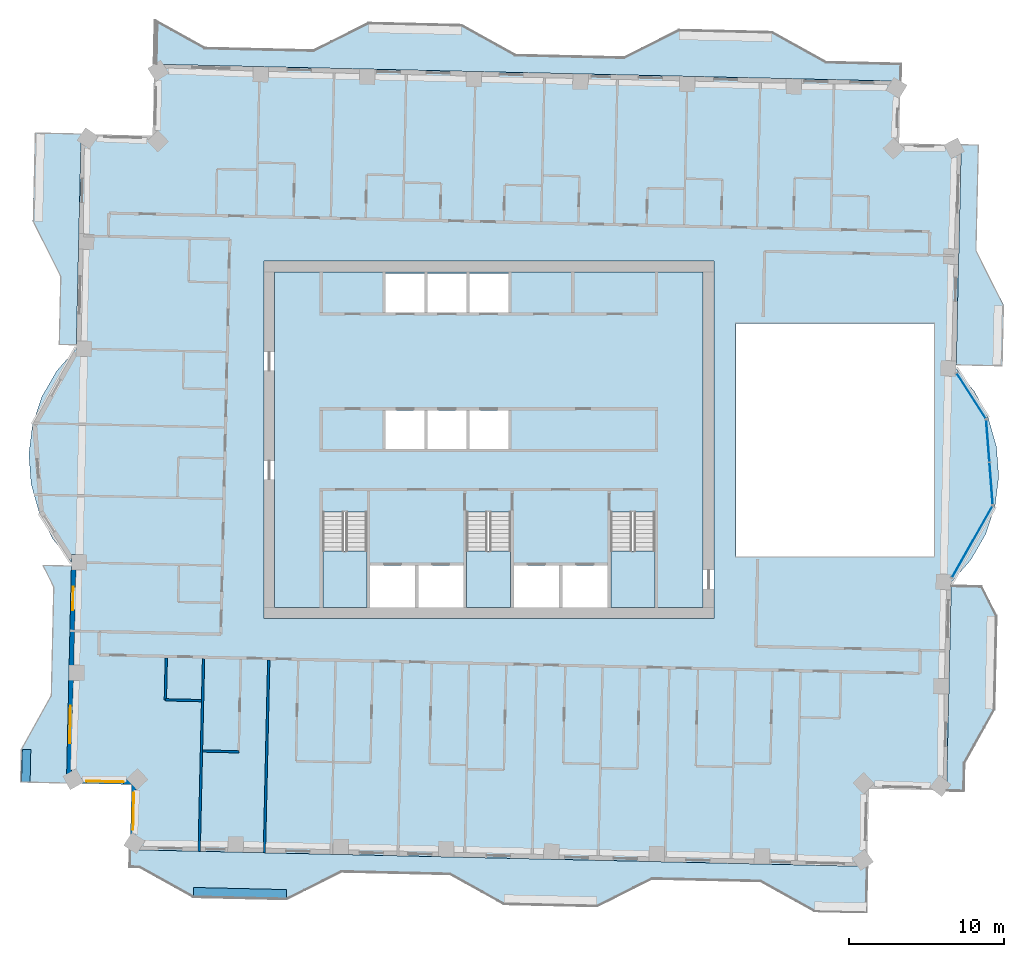
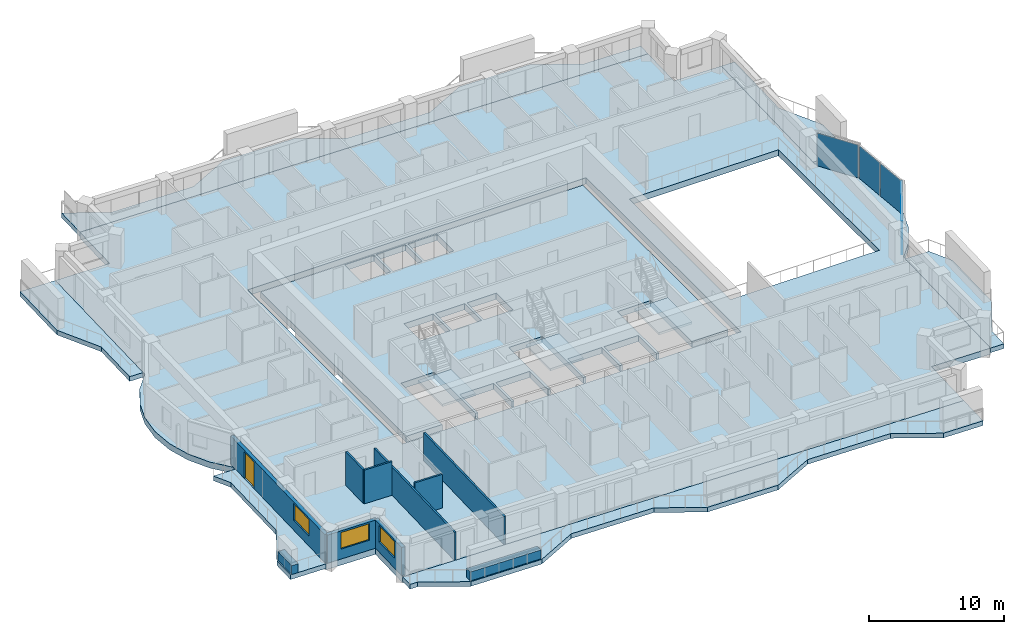
# One storey, part 5 of 17: 11 slabs, 10 walls, 4 plates, 3 windows, 1 door, 4 openings, 6 elements without a shape of their own.
"""IFC4 building model written with IfcOpenShell, lengths in metres."""

from ifc_helpers import new_model, si_unit, direction, frame, frame_2d, origin, origin_2d, place, context, subcontext, project, spatial, polyline, rectangle, outline, extrude, material, layer, layer_set, type_object, element, fill, aggregate, save


model = new_model("IFC4")

# Units and contexts
model_context = context("Model", 3, precision=1e-05, world=origin(), true_north=direction((0.0, 1.0)))
body_context = subcontext(model_context, "Body", "Model", "MODEL_VIEW")
ifc_project = project(units=[si_unit("LENGTHUNIT", "METRE"), si_unit("AREAUNIT", "SQUARE_METRE"), si_unit("VOLUMEUNIT", "CUBIC_METRE"), si_unit("PLANEANGLEUNIT", "RADIAN"), si_unit("MASSUNIT", "GRAM", prefix="KILO")], contexts=[model_context])

# Site, building, storey
site_placement = place(None, origin())
site = spatial("IfcSite", under=ifc_project, at=site_placement, CompositionType="ELEMENT")
building_placement = place(site_placement, origin())
building = spatial("IfcBuilding", under=site, at=building_placement, Name="Mangrove Gate Tower", CompositionType="ELEMENT")
storey_placement = place(building_placement, frame((0.0, 0.0, 257.300048828125)))
storey = spatial("IfcBuildingStorey", under=building, at=storey_placement, Name="L65", CompositionType="ELEMENT", Elevation=257.300048828125)

# Curtain wall, plate
ifc_material_1 = material(Name="Aluminium and glass curtain wall", Category="aluminium")
curtain_wall_type = type_object("IfcCurtainWallType", Name="Atrium garden-court glazing wall", PredefinedType="NOTDEFINED", material=ifc_material_1)
curtain_wall_1_placement = place(storey_placement, origin())
curtain_wall_1 = element("IfcCurtainWall", 1, at=curtain_wall_1_placement, inside=storey, type_object=curtain_wall_type, Name="Atrium garden-court glazing E1f1", PredefinedType="NOTDEFINED")
ifc_material_2 = material(Name="Laminated low-e glass", Category="glass")
ifc_layer_1 = layer(ifc_material_2, 0.031982421875)
ifc_layer_set_1 = layer_set([ifc_layer_1], Name="Atrium garden-court glazing panel 32")
plate_type = type_object("IfcPlateType", Name="Atrium garden-court glazing panel 32", PredefinedType="CURTAIN_PANEL", material=ifc_layer_set_1)
plate_1_placement = place(storey_placement, frame((31.117919921875, -6.572509765625, 0.0), z_axis=(0.0, 0.0, 1.0), x_axis=(0.492567972087, 0.870273975754, 0.0)))
plate_1 = element("IfcPlate", 2, at=plate_1_placement, type_object=plate_type, Name="CWA panel 1.1", PredefinedType="CURTAIN_PANEL", context=body_context, shape_type="SweptSolid", body=[
    extrude(rectangle(XDim=5.257568359375, YDim=0.031982421875, at=origin_2d()), origin(), (0.0, 0.0, 1.0), 2.97998046875),
])
aggregate(curtain_wall_1, [plate_1])

# Curtain wall, plates
curtain_wall_2_placement = place(storey_placement, origin())
curtain_wall_2 = element("IfcCurtainWall", 3, at=curtain_wall_2_placement, inside=storey, type_object=curtain_wall_type, Name="Atrium garden-court glazing E1f2", PredefinedType="NOTDEFINED")
plate_2_placement = place(storey_placement, frame((32.338623046875, -2.817138671875, 0.0), z_axis=(0.0, 0.0, 1.0), x_axis=(-0.077023348403, 0.997029289339, 0.0)))
plate_2 = element("IfcPlate", 4, at=plate_2_placement, type_object=plate_type, Name="CWA panel 1.1", PredefinedType="CURTAIN_PANEL", context=body_context, shape_type="SweptSolid", body=[
    extrude(rectangle(XDim=2.681640625, YDim=0.031982421875, at=origin_2d()), origin(), (0.0, 0.0, 1.0), 2.97998046875),
])
plate_3_placement = place(storey_placement, frame((32.126708984375, -0.07373046875, 0.0), z_axis=(0.0, 0.0, 1.0), x_axis=(-0.077023348403, 0.997029289339, 0.0)))
plate_3 = element("IfcPlate", 5, at=plate_3_placement, type_object=plate_type, Name="CWA panel 2.1", PredefinedType="CURTAIN_PANEL", context=body_context, shape_type="SweptSolid", body=[
    extrude(rectangle(XDim=2.681640625, YDim=0.031982421875, at=origin_2d()), origin(), (0.0, 0.0, 1.0), 2.97998046875),
])
aggregate(curtain_wall_2, [plate_2, plate_3])

# Curtain wall, plate
curtain_wall_3_placement = place(storey_placement, origin())
curtain_wall_3 = element("IfcCurtainWall", 6, at=curtain_wall_3_placement, inside=storey, type_object=curtain_wall_type, Name="Atrium garden-court glazing E1f3", PredefinedType="NOTDEFINED")
plate_4_placement = place(storey_placement, frame((31.0537109375, 2.833984375, 0.0), z_axis=(0.0, 0.0, 1.0), x_axis=(-0.540498107045, 0.841345230141, 0.0)))
plate_4 = element("IfcPlate", 7, at=plate_4_placement, type_object=plate_type, Name="CWA panel 1.1", PredefinedType="CURTAIN_PANEL", context=body_context, shape_type="SweptSolid", body=[
    extrude(rectangle(XDim=3.427978515625, YDim=0.031982421875, at=origin_2d()), origin(), (0.0, 0.0, 1.0), 2.97998046875),
])
aggregate(curtain_wall_3, [plate_4])

# Slabs
ifc_material_3 = material(Name="Porcelain tile")
ifc_layer_2 = layer(ifc_material_3, 0.02001953125, Name="Tile finish")
ifc_material_4 = material(Name="Cement sand screed")
ifc_layer_3 = layer(ifc_material_4, 0.0400390625, Name="Screed laid to falls")
ifc_material_5 = material(Name="Bituminous waterproofing membrane")
ifc_layer_4 = layer(ifc_material_5, 0.00390625, Name="Waterproofing")
ifc_material_6 = material(Name="Concrete C40/50", Category="concrete")
ifc_layer_5 = layer(ifc_material_6, 0.340087890625, Name="Balcony structural slab")
ifc_material_7 = material(Name="Limestone", Category="masonry")
ifc_layer_6 = layer(ifc_material_7, 0.01611328125, Name="Soffit lining")
ifc_layer_set_2 = layer_set([ifc_layer_2, ifc_layer_3, ifc_layer_4, ifc_layer_5, ifc_layer_6], Name="Balcony slab 420 C40/50")
slab_type_1 = type_object("IfcSlabType", Name="Balcony slab 420 C40/50", PredefinedType="FLOOR", material=ifc_layer_set_2)
slab_1_placement = place(storey_placement, frame((0.0, 0.0, -0.420166015625)))
element("IfcSlab", 8, at=slab_1_placement, inside=storey, type_object=slab_type_1, Name="BALCONY L65 E0", PredefinedType="FLOOR", context=body_context, shape_type="SweptSolid", body=[
    extrude(outline(polyline([(30.60791015625, -22.614013671875), (30.64892578125, -20.81396484375), (32.577880859375, -17.35693359375), (32.714111328125, -11.35791015625), (31.76611328125, -9.4619140625), (29.76708984375, -9.416015625), (29.72509765625, -11.291015625), (29.587890625, -17.2890625), (29.509033203125, -20.7880859375), (29.468017578125, -22.587890625), (30.60791015625, -22.614013671875)])), origin(), (0.0, 0.0, 1.0), 0.420166015625),
])
slab_2_placement = place(storey_placement, frame((0.0, 0.0, -0.420166015625)))
element("IfcSlab", 9, at=slab_2_placement, inside=storey, type_object=slab_type_1, Name="BALCONY L65 E1", PredefinedType="FLOOR", context=body_context, shape_type="SweptSolid", body=[
    extrude(outline(polyline([(33.080078125, 4.762939453125), (33.1669921875, 8.635986328125), (31.39697265625, 12.177978515625), (31.552001953125, 18.97607421875), (30.412109375, 19.001953125), (30.258056640625, 12.202880859375), (30.177978515625, 8.7041015625), (30.090087890625, 4.8310546875), (33.080078125, 4.762939453125)])), origin(), (0.0, 0.0, 1.0), 0.420166015625),
])
slab_3_placement = place(storey_placement, frame((0.0, 0.0, -0.420166015625)))
element("IfcSlab", 10, at=slab_3_placement, inside=storey, type_object=slab_type_1, Name="BALCONY L65 N0", PredefinedType="FLOOR", context=body_context, shape_type="SweptSolid", body=[
    extrude(outline(polyline([(26.530029296875, 24.23095703125), (21.695068359375, 24.341064453125), (18.238037109375, 26.27001953125), (12.239013671875, 26.406005859375), (8.697998046875, 24.635986328125), (2.5, 24.77587890625), (1.699951171875, 24.794921875), (-1.757080078125, 26.722900390625), (-7.756103515625, 26.860107421875), (-11.297119140625, 25.090087890625), (-18.294921875, 25.248046875), (-21.490966796875, 27.031982421875), (-21.555908203125, 24.181884765625), (26.50390625, 23.091064453125), (26.530029296875, 24.23095703125)])), origin(), (0.0, 0.0, 1.0), 0.420166015625),
])
slab_4_placement = place(storey_placement, frame((0.0, 0.0, -0.420166015625)))
element("IfcSlab", 11, at=slab_4_placement, inside=storey, type_object=slab_type_1, Name="BALCONY L65 W0", PredefinedType="FLOOR", context=body_context, shape_type="SweptSolid", body=[
    extrude(outline(polyline([(-29.248046875, 19.7548828125), (-29.3779296875, 14.056884765625), (-27.60791015625, 10.51611328125), (-27.70703125, 6.14208984375), (-26.56689453125, 6.115966796875), (-26.468017578125, 10.489990234375), (-26.387939453125, 13.989013671875), (-26.259033203125, 19.68798828125), (-29.248046875, 19.7548828125)])), origin(), (0.0, 0.0, 1.0), 0.420166015625),
])
slab_5_placement = place(storey_placement, frame((0.0, 0.0, -0.420166015625)))
element("IfcSlab", 12, at=slab_5_placement, inside=storey, type_object=slab_type_1, Name="BALCONY L65 W1", PredefinedType="FLOOR", context=body_context, shape_type="SweptSolid", body=[
    extrude(outline(polyline([(-28.756103515625, -8.087890625), (-28.06103515625, -9.47900390625), (-28.219970703125, -16.47705078125), (-30.14892578125, -19.93408203125), (-30.197021484375, -22.033935546875), (-27.20703125, -22.10205078125), (-27.159912109375, -20.001953125), (-27.080078125, -16.5029296875), (-26.922119140625, -9.5048828125), (-26.889892578125, -8.131103515625), (-28.756103515625, -8.087890625)])), origin(), (0.0, 0.0, 1.0), 0.420166015625),
])
slab_6_placement = place(storey_placement, frame((0.0, 0.0, -0.420166015625)))
element("IfcSlab", 13, at=slab_6_placement, inside=storey, type_object=slab_type_1, Name="BALCONY L65 S0", PredefinedType="FLOOR", context=body_context, shape_type="SweptSolid", body=[
    extrude(outline(polyline([(-23.1298828125, -27.535888671875), (-22.493896484375, -27.550048828125), (-19.037109375, -29.47900390625), (-13.0380859375, -29.614990234375), (-9.4970703125, -27.844970703125), (-2.4990234375, -28.00390625), (0.56298828125, -29.7119140625), (0.9580078125, -29.93310546875), (6.95703125, -30.069091796875), (10.498046875, -28.300048828125), (17.49609375, -28.4580078125), (20.952880859375, -30.385986328125), (24.2880859375, -30.4619140625), (24.35595703125, -27.472900390625), (-23.10400390625, -26.39599609375), (-23.1298828125, -27.535888671875)])), origin(), (0.0, 0.0, 1.0), 0.420166015625),
])
ifc_material_8 = material(Name="Concrete C40/50", Category="concrete")
ifc_layer_7 = layer(ifc_material_8, 0.550048828125)
ifc_layer_set_3 = layer_set([ifc_layer_7], Name="Core floor slab 550 C40/50")
slab_type_2 = type_object("IfcSlabType", Name="Core floor slab 550 C40/50", PredefinedType="FLOOR", material=ifc_layer_set_3)
slab_7_placement = place(storey_placement, frame((0.0, 0.0, -0.550048828125)))
element("IfcSlab", 14, at=slab_7_placement, inside=storey, type_object=slab_type_2, Name="SLAB-L65-CORE-1", PredefinedType="FLOOR", context=body_context, shape_type="SweptSolid", body=[
    extrude(outline(polyline([(-13.800048828125, -10.800048828125), (-13.800048828125, 10.800048828125), (13.800048828125, 10.800048828125), (13.800048828125, -10.800048828125), (10.699951171875, -10.800048828125), (10.699951171875, -4.653076171875), (7.85009765625, -4.653076171875), (7.85009765625, -10.800048828125), (7.64990234375, -10.800048828125), (7.64990234375, -8.10009765625), (4.72509765625, -8.10009765625), (4.72509765625, -10.800048828125), (4.52490234375, -10.800048828125), (4.52490234375, -8.10009765625), (1.60009765625, -8.10009765625), (1.60009765625, -10.800048828125), (1.39990234375, -10.800048828125), (1.39990234375, -4.653076171875), (-1.449951171875, -4.653076171875), (-1.449951171875, -10.800048828125), (-1.64990234375, -10.800048828125), (-1.64990234375, -8.10009765625), (-4.550048828125, -8.10009765625), (-4.550048828125, -10.800048828125), (-4.75, -10.800048828125), (-4.75, -8.10009765625), (-7.64990234375, -8.10009765625), (-7.64990234375, -10.800048828125), (-7.85009765625, -10.800048828125), (-7.85009765625, -4.653076171875), (-10.699951171875, -4.653076171875), (-10.699951171875, -10.800048828125), (-13.800048828125, -10.800048828125)]), holes=[polyline([(-4.14990234375, 1.89990234375), (-6.64990234375, 1.89990234375), (-6.64990234375, -0.60009765625), (-4.14990234375, -0.60009765625), (-4.14990234375, 1.89990234375)]), polyline([(-1.449951171875, -0.60009765625), (-1.449951171875, 1.89990234375), (-3.949951171875, 1.89990234375), (-3.949951171875, -0.60009765625), (-1.449951171875, -0.60009765625)]), polyline([(-4.14990234375, 8.199951171875), (-4.14990234375, 10.699951171875), (-6.64990234375, 10.699951171875), (-6.64990234375, 8.199951171875), (-4.14990234375, 8.199951171875)]), polyline([(-1.449951171875, 10.699951171875), (-3.949951171875, 10.699951171875), (-3.949951171875, 8.199951171875), (-1.449951171875, 8.199951171875), (-1.449951171875, 10.699951171875)]), polyline([(1.25, -0.60009765625), (1.25, 1.89990234375), (-1.25, 1.89990234375), (-1.25, -0.60009765625), (1.25, -0.60009765625)]), polyline([(1.25, 8.199951171875), (1.25, 10.699951171875), (-1.25, 10.699951171875), (-1.25, 8.199951171875), (1.25, 8.199951171875)])]), origin(), (0.0, 0.0, 1.0), 0.550048828125),
])

# Stair, slab
ifc_material_9 = material(Name="Concrete C40/50", Category="concrete")
stair_type = type_object("IfcStairType", Name="Core stair 1350", PredefinedType="HALF_TURN_STAIR", material=ifc_material_9)
stair_1_placement = place(storey_placement, origin())
stair_1 = element("IfcStair", 15, at=stair_1_placement, inside=storey, type_object=stair_type, Name="L65 Stair 1", PredefinedType="HALF_TURN_STAIR")
ifc_material_10 = material(Name="Concrete C40/50", Category="concrete")
ifc_layer_8 = layer(ifc_material_10, 0.199951171875)
ifc_layer_set_4 = layer_set([ifc_layer_8], Name="Core stair landing 200")
slab_type_3 = type_object("IfcSlabType", Name="Core stair landing 200", PredefinedType="LANDING", material=ifc_layer_set_4)
slab_8_placement = place(storey_placement, frame((0.0, 0.0, 1.599853515625)))
slab_8 = element("IfcSlab", 16, at=slab_8_placement, type_object=slab_type_3, Name="ST1 landing 1", PredefinedType="LANDING", context=body_context, shape_type="SweptSolid", body=[
    extrude(outline(polyline([(-10.699951171875, -7.169921875), (-10.699951171875, -10.800048828125), (-7.85009765625, -10.800048828125), (-7.85009765625, -7.169921875), (-10.699951171875, -7.169921875)])), origin(), (0.0, 0.0, 1.0), 0.2001953125),
])
aggregate(stair_1, [slab_8])

stair_2_placement = place(storey_placement, origin())
stair_2 = element("IfcStair", 17, at=stair_2_placement, inside=storey, type_object=stair_type, Name="L65 Stair 2", PredefinedType="HALF_TURN_STAIR")
slab_9_placement = place(storey_placement, frame((0.0, 0.0, 1.599853515625)))
slab_9 = element("IfcSlab", 18, at=slab_9_placement, type_object=slab_type_3, Name="ST2 landing 1", PredefinedType="LANDING", context=body_context, shape_type="SweptSolid", body=[
    extrude(outline(polyline([(-1.449951171875, -7.169921875), (-1.449951171875, -10.800048828125), (1.39990234375, -10.800048828125), (1.39990234375, -7.169921875), (-1.449951171875, -7.169921875)])), origin(), (0.0, 0.0, 1.0), 0.2001953125),
])
aggregate(stair_2, [slab_9])

stair_3_placement = place(storey_placement, origin())
stair_3 = element("IfcStair", 19, at=stair_3_placement, inside=storey, type_object=stair_type, Name="L65 Stair 3", PredefinedType="HALF_TURN_STAIR")
slab_10_placement = place(storey_placement, frame((0.0, 0.0, 1.599853515625)))
slab_10 = element("IfcSlab", 20, at=slab_10_placement, type_object=slab_type_3, Name="ST3 landing 1", PredefinedType="LANDING", context=body_context, shape_type="SweptSolid", body=[
    extrude(outline(polyline([(7.85009765625, -7.169921875), (7.85009765625, -10.800048828125), (10.699951171875, -10.800048828125), (10.699951171875, -7.169921875), (7.85009765625, -7.169921875)])), origin(), (0.0, 0.0, 1.0), 0.2001953125),
])
aggregate(stair_3, [slab_10])

# Slab
ifc_material_11 = material(Name="Concrete C40/50", Category="concrete")
ifc_layer_9 = layer(ifc_material_11, 0.550048828125)
ifc_layer_set_5 = layer_set([ifc_layer_9], Name="Floor slab 550 C40/50")
slab_type_4 = type_object("IfcSlabType", Name="Floor slab 550 C40/50", PredefinedType="FLOOR", material=ifc_layer_set_5)
slab_11_placement = place(storey_placement, frame((0.0, 0.0, -0.550048828125)))
element("IfcSlab", 21, at=slab_11_placement, inside=storey, type_object=slab_type_4, Name="Floor slab L65", PredefinedType="FLOOR", context=body_context, shape_type="SweptSolid", body=[
    extrude(outline(polyline([(-23.103759765625, -26.39599609375), (24.35595703125, -27.472900390625), (24.469482421875, -22.47412109375), (29.46826171875, -22.587646484375), (29.772705078125, -9.16650390625), (31.03564453125, -7.72998046875), (31.98876953125, -6.071533203125), (32.59423828125, -4.257080078125), (32.827880859375, -2.358642578125), (32.6806640625, -0.45166015625), (32.158203125, 1.388427734375), (31.28125, 3.08837890625), (30.084716796875, 4.58056640625), (30.411865234375, 19.001708984375), (26.4130859375, 19.09228515625), (26.503662109375, 23.09130859375), (-21.555908203125, 24.181884765625), (-21.66015625, 19.583251953125), (-26.259033203125, 19.6875), (-26.57275390625, 5.866455078125), (-27.835693359375, 4.429931640625), (-28.788818359375, 2.771484375), (-29.394287109375, 0.95703125), (-29.6279296875, -0.94140625), (-29.480712890625, -2.848388671875), (-28.958251953125, -4.6884765625), (-28.081298828125, -6.388427734375), (-26.884765625, -7.880615234375), (-27.20751953125, -22.101806640625), (-23.008544921875, -22.197021484375), (-23.103759765625, -26.39599609375)]), holes=[polyline([(15.89990234375, 7.5), (28.658935546875, 7.5), (28.658935546875, -7.5), (15.89990234375, -7.5), (15.89990234375, 7.5)]), polyline([(-14.5, -11.5), (-14.5, 11.5), (14.5, 11.5), (14.5, -11.5), (-14.5, -11.5)])]), origin(), (0.0, 0.0, 1.0), 0.550048828125),
])

# Wall, openings, door, window
ifc_layer_10 = layer(ifc_material_7, 0.0400390625, Name="Limestone cladding")
ifc_material_12 = material(Name="Ventilated air gap")
ifc_layer_11 = layer(ifc_material_12, 0.0400390625, Name="Ventilated cavity")
ifc_material_13 = material(Name="Mineral wool insulation")
ifc_layer_12 = layer(ifc_material_13, 0.06005859375, Name="Insulation")
ifc_material_14 = material(Name="Breather membrane")
ifc_layer_13 = layer(ifc_material_14, 0.001953125, Name="Breather membrane")
ifc_material_15 = material(Name="Concrete C20/25 blockwork", Category="masonry")
ifc_layer_14 = layer(ifc_material_15, 0.14990234375, Name="Blockwork backing wall")
ifc_material_16 = material(Name="Gypsum plaster")
ifc_layer_15 = layer(ifc_material_16, 0.008056640625, Name="Internal plaster")
ifc_layer_set_6 = layer_set([ifc_layer_10, ifc_layer_11, ifc_layer_12, ifc_layer_13, ifc_layer_14, ifc_layer_15], Name="External wall 300 limestone cladding")
wall_type_1 = type_object("IfcWallType", Name="External wall 300 limestone cladding", PredefinedType="SOLIDWALL", material=ifc_layer_set_6)
wall_1_placement = place(storey_placement, frame((-26.722900390625, -7.385009765625, 0.0), z_axis=(0.0, 0.0, 1.0), x_axis=(-0.022715697396, -0.999741965255, 0.0)))
wall_1 = element("IfcWall", 22, at=wall_1_placement, inside=storey, type_object=wall_type_1, Name="WALL-L65-W10s1", PredefinedType="SOLIDWALL", context=body_context, shape_type="SweptSolid", body=[
    extrude(rectangle(XDim=14.57373046875, YDim=0.300048828125, at=frame_2d((7.286865234375, 0.0))), origin(), (0.0, 0.0, 1.0), 2.550048828125),
])
opening_1_placement = place(wall_1_placement, frame((2.0869140625, 0.0, 0.0)))
opening_1 = element("IfcOpeningElement", 23, at=opening_1_placement, cuts=wall_1, Name="Opening BD1", PredefinedType="OPENING", context=body_context, shape_type="SweptSolid", body=[
    extrude(rectangle(XDim=1.5, YDim=2.39990234375, at=frame_2d((0.75, 1.199951171875))), frame((0.0, 0.159912109375, 0.0), z_axis=(0.0, -1.0, 0.0), x_axis=(1.0, 0.0, 0.0)), (0.0, 0.0, 1.0), 0.320068359375),
])
opening_2_placement = place(wall_1_placement, frame((9.7490234375, 0.0, 0.89990234375)))
opening_2 = element("IfcOpeningElement", 24, at=opening_2_placement, cuts=wall_1, Name="Opening W2", PredefinedType="OPENING", context=body_context, shape_type="SweptSolid", body=[
    extrude(rectangle(XDim=2.39990234375, YDim=1.5, at=frame_2d((1.199951171875, 0.75))), frame((0.0, 0.159912109375, 0.0), z_axis=(0.0, -1.0, 0.0), x_axis=(1.0, 0.0, 0.0)), (0.0, 0.0, 1.0), 0.320068359375),
])
ifc_material_17 = material(Name="Aluminium frame with laminated clear glass", Category="aluminium")
door_type = type_object("IfcDoorType", Name="Balcony sliding door 1500x2400", OperationType="SLIDING_TO_LEFT", PredefinedType="DOOR", material=ifc_material_17)
door_placement = place(opening_1_placement, origin())
door = element("IfcDoor", 25, at=door_placement, inside=storey, type_object=door_type, Name="DOOR-L65-W10-1", OperationType="SLIDING_TO_LEFT", OverallHeight=2.39990234375, OverallWidth=1.5, PredefinedType="DOOR", context=body_context, shape_type="SweptSolid", body=[
    extrude(rectangle(XDim=1.5, YDim=2.39990234375, at=frame_2d((0.75, 1.199951171875))), frame((0.0, 0.02490234375, 0.0), z_axis=(0.0, -1.0, 0.0), x_axis=(1.0, 0.0, 0.0)), (0.0, 0.0, 1.0), 0.050048828125),
])
fill(opening_1, door)
ifc_material_18 = material(Name="Aluminium frame with double-glazed low-e glass", Category="aluminium")
window_type = type_object("IfcWindowType", Name="Corner room window 2400x1500", PartitioningType="DOUBLE_PANEL_VERTICAL", PredefinedType="WINDOW", material=ifc_material_18)
window_1_placement = place(opening_2_placement, origin())
window_1 = element("IfcWindow", 26, at=window_1_placement, inside=storey, type_object=window_type, Name="WIN-L65-W10-2", OverallHeight=1.5, OverallWidth=2.39990234375, PartitioningType="DOUBLE_PANEL_VERTICAL", PredefinedType="WINDOW", context=body_context, shape_type="SweptSolid", body=[
    extrude(rectangle(XDim=2.39990234375, YDim=1.5, at=frame_2d((1.199951171875, 0.75))), frame((0.0, 0.030029296875, 0.0), z_axis=(0.0, -1.0, 0.0), x_axis=(1.0, 0.0, 0.0)), (0.0, 0.0, 1.0), 0.06005859375),
])
fill(opening_2, window_1)

# Wall, opening, window
wall_2_placement = place(storey_placement, frame((-27.053955078125, -21.955078125, 0.0), z_axis=(0.0, 0.0, 1.0), x_axis=(0.999744320311, -0.022611811187, 0.0)))
wall_2 = element("IfcWall", 27, at=wall_2_placement, inside=storey, type_object=wall_type_1, Name="WALL-L65-S11", PredefinedType="SOLIDWALL", context=body_context, shape_type="SweptSolid", body=[
    extrude(rectangle(XDim=4.199951171875, YDim=0.300048828125, at=frame_2d((2.10009765625, 0.0))), origin(), (0.0, 0.0, 1.0), 2.550048828125),
])
opening_3_placement = place(wall_2_placement, frame((1.131103515625, 0.0, 0.89990234375)))
opening_3 = element("IfcOpeningElement", 28, at=opening_3_placement, cuts=wall_2, Name="Opening W2", PredefinedType="OPENING", context=body_context, shape_type="SweptSolid", body=[
    extrude(rectangle(XDim=2.39990234375, YDim=1.5, at=frame_2d((1.199951171875, 0.75))), frame((0.0, 0.159912109375, 0.0), z_axis=(0.0, -1.0, 0.0), x_axis=(1.0, 0.0, 0.0)), (0.0, 0.0, 1.0), 0.320068359375),
])
window_2_placement = place(opening_3_placement, origin())
window_2 = element("IfcWindow", 29, at=window_2_placement, inside=storey, type_object=window_type, Name="WIN-L65-S11-1", OverallHeight=1.5, OverallWidth=2.39990234375, PartitioningType="DOUBLE_PANEL_VERTICAL", PredefinedType="WINDOW", context=body_context, shape_type="SweptSolid", body=[
    extrude(rectangle(XDim=2.39990234375, YDim=1.5, at=frame_2d((1.199951171875, 0.75))), frame((0.0, 0.030029296875, 0.0), z_axis=(0.0, -1.0, 0.0), x_axis=(1.0, 0.0, 0.0)), (0.0, 0.0, 1.0), 0.06005859375),
])
fill(opening_3, window_2)

wall_3_placement = place(storey_placement, frame((-22.85498046875, -22.050048828125, 0.0), z_axis=(0.0, 0.0, 1.0), x_axis=(-0.022611811187, -0.999744320311, 0.0)))
wall_3 = element("IfcWall", 30, at=wall_3_placement, inside=storey, type_object=wall_type_1, Name="WALL-L65-W12", PredefinedType="SOLIDWALL", context=body_context, shape_type="SweptSolid", body=[
    extrude(rectangle(XDim=4.199951171875, YDim=0.300048828125, at=frame_2d((2.10009765625, 0.0))), origin(), (0.0, 0.0, 1.0), 2.550048828125),
])
opening_4_placement = place(wall_3_placement, frame((0.669921875, 0.0, 0.89990234375)))
opening_4 = element("IfcOpeningElement", 31, at=opening_4_placement, cuts=wall_3, Name="Opening W2", PredefinedType="OPENING", context=body_context, shape_type="SweptSolid", body=[
    extrude(rectangle(XDim=2.39990234375, YDim=1.5, at=frame_2d((1.199951171875, 0.75))), frame((0.0, 0.159912109375, 0.0), z_axis=(0.0, -1.0, 0.0), x_axis=(1.0, 0.0, 0.0)), (0.0, 0.0, 1.0), 0.320068359375),
])
window_3_placement = place(opening_4_placement, origin())
window_3 = element("IfcWindow", 32, at=window_3_placement, inside=storey, type_object=window_type, Name="WIN-L65-W12-1", OverallHeight=1.5, OverallWidth=2.39990234375, PartitioningType="DOUBLE_PANEL_VERTICAL", PredefinedType="WINDOW", context=body_context, shape_type="SweptSolid", body=[
    extrude(rectangle(XDim=2.39990234375, YDim=1.5, at=frame_2d((1.199951171875, 0.75))), frame((0.0, 0.030029296875, 0.0), z_axis=(0.0, -1.0, 0.0), x_axis=(1.0, 0.0, 0.0)), (0.0, 0.0, 1.0), 0.06005859375),
])
fill(opening_4, window_3)

# Walls
ifc_material_19 = material(Name="Gypsum board on steel stud, EI 60", Category="steel")
ifc_layer_16 = layer(ifc_material_19, 0.14990234375)
ifc_layer_set_7 = layer_set([ifc_layer_16], Name="Party wall 150 EI 60")
wall_type_2 = type_object("IfcWallType", Name="Party wall 150 EI 60", PredefinedType="PARTITIONING", material=ifc_layer_set_7)
for number, where, z_axis, x_axis, name in (
    (33, (-18.658935546875, -26.4970703125, 0.0), (0.0, 0.0, 1.0), (0.022661475803, 0.999743195783, 0.0), "WALL-L65-001"),
    (34, (-14.4599609375, -26.592041015625, 0.0), (0.0, 0.0, 1.0), (0.022661475803, 0.999743195783, 0.0), "WALL-L65-002"),
):
    element("IfcWall", number, at=place(storey_placement, frame(where, z_axis=z_axis, x_axis=x_axis)), inside=storey, type_object=wall_type_2, Name=name, PredefinedType="PARTITIONING", context=body_context, shape_type="SweptSolid", body=[
        extrude(rectangle(XDim=12.400146484375, YDim=0.14990234375, at=frame_2d((6.2001953125, 0.0))), origin(), (0.0, 0.0, 1.0), 2.550048828125),
    ])
wall_4_placement = place(storey_placement, frame((-18.43310546875, -20.0400390625, 0.0), z_axis=(0.0, 0.0, 1.0), x_axis=(0.99974031529, -0.022788198363, 0.0)))
element("IfcWall", 35, at=wall_4_placement, inside=storey, type_object=wall_type_2, Name="WALL-L65-024", PredefinedType="PARTITIONING", context=body_context, shape_type="SweptSolid", body=[
    extrude(rectangle(XDim=2.32470703125, YDim=0.14990234375, at=frame_2d((1.162353515625, 0.0))), origin(), (0.0, 0.0, 1.0), 3.050048828125),
])
wall_5_placement = place(storey_placement, frame((-20.837890625, -16.7451171875, 0.0), z_axis=(0.0, 0.0, 1.0), x_axis=(0.022515998029, 0.999746482781, 0.0)))
element("IfcWall", 36, at=wall_5_placement, inside=storey, type_object=wall_type_2, Name="WALL-L65-030", PredefinedType="PARTITIONING", context=body_context, shape_type="SweptSolid", body=[
    extrude(rectangle(XDim=2.699951171875, YDim=0.14990234375, at=frame_2d((1.35009765625, 0.0))), origin(), (0.0, 0.0, 1.0), 3.050048828125),
])
wall_6_placement = place(storey_placement, frame((-20.833984375, -16.7451171875, 0.0), z_axis=(0.0, 0.0, 1.0), x_axis=(0.999740260747, -0.02279059109, 0.0)))
element("IfcWall", 37, at=wall_6_placement, inside=storey, type_object=wall_type_2, Name="WALL-L65-031", PredefinedType="PARTITIONING", context=body_context, shape_type="SweptSolid", body=[
    extrude(rectangle(XDim=2.324462890625, YDim=0.14990234375, at=frame_2d((1.162109375, 0.0))), origin(), (0.0, 0.0, 1.0), 3.050048828125),
])
ifc_material_20 = material(Name="Concrete C32/40", Category="concrete")
ifc_layer_17 = layer(ifc_material_20, 0.199951171875, Name="Planter trough wall")
ifc_layer_18 = layer(ifc_material_5, 0.0048828125, Name="Waterproofing")
ifc_material_21 = material(Name="Drainage board and gravel")
ifc_layer_19 = layer(ifc_material_21, 0.044921875, Name="Drainage layer")
ifc_material_22 = material(Name="Planting soil")
ifc_layer_20 = layer(ifc_material_22, 0.300048828125, Name="Growing medium")
ifc_layer_set_8 = layer_set([ifc_layer_17, ifc_layer_18, ifc_layer_19, ifc_layer_20], Name="Planter wall 550 C32/40")
wall_type_3 = type_object("IfcWallType", Name="Planter wall 550 C32/40", PredefinedType="USERDEFINED", material=ifc_layer_set_8)
wall_7_placement = place(storey_placement, frame((-29.822021484375, -22.0419921875, 0.0), z_axis=(0.0, 0.0, 1.0), x_axis=(0.022908956429, 0.999737555419, 0.0)))
element("IfcWall", 38, at=wall_7_placement, inside=storey, type_object=wall_type_3, Name="PLANTER L65 W1.1", ObjectType="PLANTER", PredefinedType="USERDEFINED", context=body_context, shape_type="SweptSolid", body=[
    extrude(rectangle(XDim=2.099365234375, YDim=0.550048828125, at=frame_2d((1.0498046875, 0.0))), origin(), (0.0, 0.0, 1.0), 0.800048828125),
])
wall_8_placement = place(storey_placement, frame((-19.028076171875, -29.10400390625, 0.0), z_axis=(0.0, 0.0, 1.0), x_axis=(0.999743094499, -0.022665943652, 0.0)))
element("IfcWall", 39, at=wall_8_placement, inside=storey, type_object=wall_type_3, Name="PLANTER L65 S0.1", ObjectType="PLANTER", PredefinedType="USERDEFINED", context=body_context, shape_type="SweptSolid", body=[
    extrude(rectangle(XDim=5.99951171875, YDim=0.550048828125, at=frame_2d((2.999755859375, 0.0))), origin(), (0.0, 0.0, 1.0), 0.800048828125),
])

save(model, "model.ifc")
